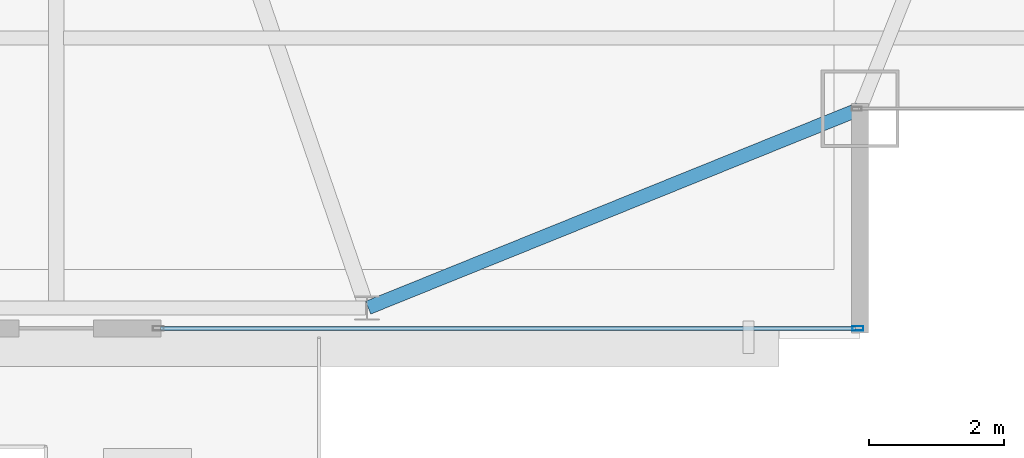
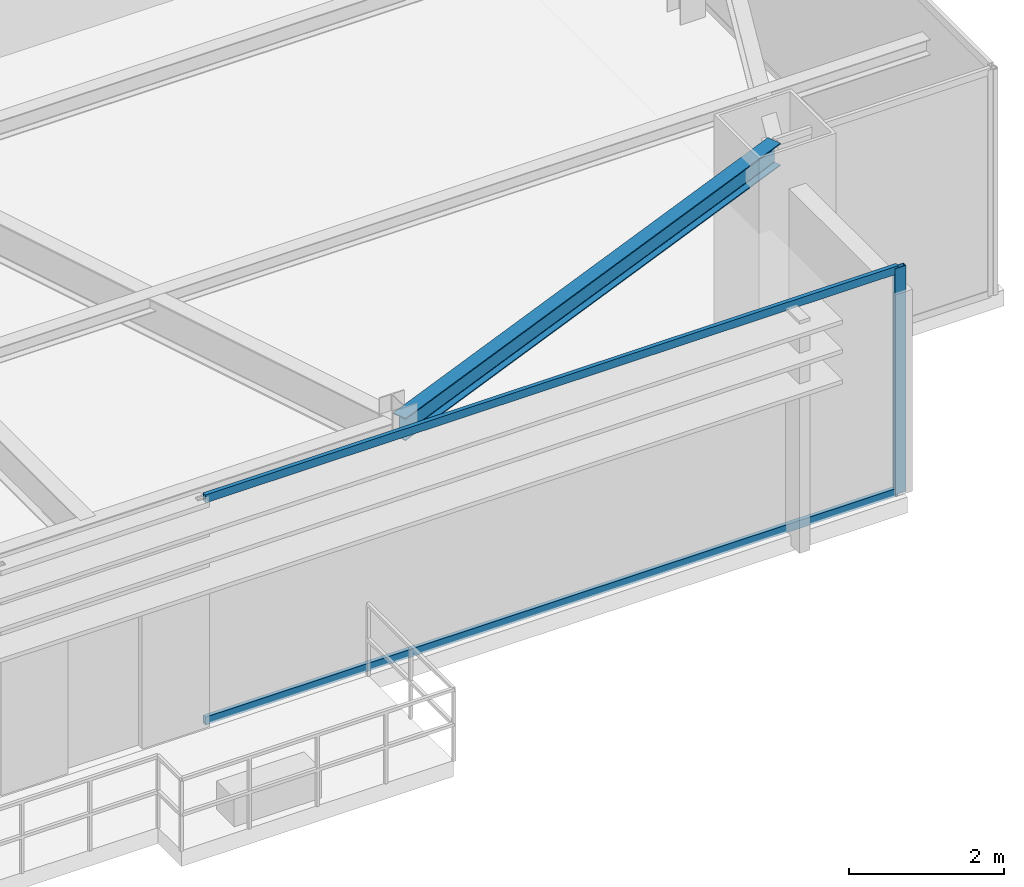
# One storey, part 13 of 30: 3 members, 1 beam, 1 element without a shape of its own.
"""IFC4 building model written with IfcOpenShell, lengths in metres."""

from ifc_helpers import new_model, si_unit, direction, frame, origin, origin_2d, place, context, subcontext, project, spatial, hollow_rectangle, i_section, extrude, source, transform, mapped, material, layer, layer_set, material_profile, profile_set, type_object, type_shapes, element, aggregate, save


model = new_model("IFC4")

# Units and contexts
model_context = context("Model", 3, precision=1e-05, world=origin(), true_north=direction((0.0, 1.0)))
body_context = subcontext(model_context, "Body", "Model", "MODEL_VIEW")
ifc_project = project(units=[si_unit("LENGTHUNIT", "METRE"), si_unit("AREAUNIT", "SQUARE_METRE"), si_unit("VOLUMEUNIT", "CUBIC_METRE"), si_unit("PLANEANGLEUNIT", "RADIAN"), si_unit("MASSUNIT", "GRAM", prefix="KILO")], contexts=[model_context])

# Site, building, storey
site_placement = place(None, origin())
site = spatial("IfcSite", under=ifc_project, at=site_placement, CompositionType="ELEMENT")
building_placement = place(site_placement, origin())
building = spatial("IfcBuilding", under=site, at=building_placement, Name="Varnel Quay Broadcast Tower", CompositionType="ELEMENT")
storey_placement = place(building_placement, frame((0.0, 0.0, 222.60009765625)))
storey = spatial("IfcBuildingStorey", under=building, at=storey_placement, Name="L55", CompositionType="ELEMENT", Elevation=222.60009765625)

# Beam
ifc_material_1 = material(Name="Structural Steel CSA G40.21 350W", Category="steel")
ifc_material_profile_1 = material_profile(ifc_material_1, i_section(OverallWidth=0.205078125, OverallDepth=0.35400390625, WebThickness=0.009521484375, FlangeThickness=0.016845703125, FilletRadius=0.012939453125, at=origin_2d()), Name="W360X79")
ifc_profile_set_1 = profile_set([ifc_material_profile_1], Name="Structural Steel CSA G40.21 350W")
beam_type = type_object("IfcBeamType", Name="Beam_W360X79", PredefinedType="SPANDREL", material=ifc_profile_set_1)
shared_shape_1 = source(origin(), body_context, "Body", "SweptSolid", [
    extrude(i_section(OverallWidth=0.205078125, OverallDepth=0.35400390625, WebThickness=0.009521484375, FlangeThickness=0.016845703125, FilletRadius=0.012939453125, at=origin_2d()), origin(), (0.0, 0.0, 1.0), 7.83349609375),
])
type_shapes(beam_type, [shared_shape_1])
beam_placement = place(storey_placement, frame((47.818603515625, 10.657470703125, 3.372802734375), z_axis=(0.927155449606, 0.374676890489, 0.0), x_axis=(-0.374676890489, 0.927155449606, 0.0)))
element("IfcBeam", 1, at=beam_placement, inside=storey, type_object=beam_type, Name="L55 South Spandrel TC-S4-MC-SE", PredefinedType="SPANDREL", context=body_context, shape_type="MappedRepresentation", body=[
    mapped(shared_shape_1, transform((0.0, 0.0, 0.0), x_axis=(1.0, 0.0, 0.0), y_axis=(0.0, 1.0, 0.0), z_axis=(0.0, 0.0, 1.0), scale=1.0)),
])

# Curtain wall, members
ifc_material_2 = material(Name="Anodised Bronze Aluminium 6063-T6", Category="aluminium")
ifc_layer = layer(ifc_material_2, 0.18994140625, Name="Anodised Bronze Aluminium 6063-T6")
ifc_layer_set = layer_set([ifc_layer], Name="Anodised Bronze Aluminium 6063-T6")
curtain_wall_type = type_object("IfcCurtainWallType", Name="CW_UpperTower", PredefinedType="NOTDEFINED", material=ifc_layer_set)
curtain_wall_placement = place(storey_placement, origin())
curtain_wall = element("IfcCurtainWall", 2, at=curtain_wall_placement, inside=storey, type_object=curtain_wall_type, Name="L55 South Unitised Curtain Wall 3", PredefinedType="NOTDEFINED")
ifc_material_profile_2 = material_profile(ifc_material_2, hollow_rectangle(XDim=0.06494140625, YDim=0.1650390625, WallThickness=0.00341796875, at=origin_2d()), Name="ALU65X165X3.5")
ifc_profile_set_2 = profile_set([ifc_material_profile_2], Name="Anodised Bronze Aluminium 6063-T6")
member_type_1 = type_object("IfcMemberType", Name="Mull_CWS-03", PredefinedType="MULLION", material=ifc_profile_set_2)
shared_shape_2 = source(origin(), body_context, "Body", "SweptSolid", [
    extrude(hollow_rectangle(XDim=0.06494140625, YDim=0.1650390625, WallThickness=0.00341796875, at=origin_2d()), origin(), (0.0, 0.0, 1.0), 3.5498046875),
])
type_shapes(member_type_1, [shared_shape_2])
member_1_placement = place(storey_placement, frame((55.0673828125, 10.35009765625, 0.0), z_axis=(0.0, 0.0, 1.0), x_axis=(0.0, 1.0, 0.0)))
member_1 = element("IfcMember", 3, at=member_1_placement, type_object=member_type_1, Name="CWS-03 mullion 2", PredefinedType="MULLION", context=body_context, shape_type="MappedRepresentation", body=[
    mapped(shared_shape_2, transform((0.0, 0.0, 0.0), x_axis=(1.0, 0.0, 0.0), y_axis=(0.0, 1.0, 0.0), z_axis=(0.0, 0.0, 1.0), scale=1.0)),
])
ifc_material_profile_3 = material_profile(ifc_material_2, hollow_rectangle(XDim=0.06005859375, YDim=0.125, WallThickness=0.0029296875, at=origin_2d()), Name="ALU60X125X3")
ifc_profile_set_3 = profile_set([ifc_material_profile_3], Name="Anodised Bronze Aluminium 6063-T6")
member_type_2 = type_object("IfcMemberType", Name="Tran_CWS-03", PredefinedType="USERDEFINED", material=ifc_profile_set_3)
shared_shape_3 = source(origin(), body_context, "Body", "SweptSolid", [
    extrude(hollow_rectangle(XDim=0.06005859375, YDim=0.125, WallThickness=0.0029296875, at=origin_2d()), origin(), (0.0, 0.0, 1.0), 10.289794921875),
])
type_shapes(member_type_2, [shared_shape_3])
member_2_placement = place(storey_placement, frame((44.7451171875, 10.35009765625, 0.02978515625), z_axis=(1.0, 0.0, 0.0), x_axis=(0.0, 1.0, 0.0)))
member_2 = element("IfcMember", 4, at=member_2_placement, type_object=member_type_2, Name="CWS-03 transom 1.1", ObjectType="TRANSOM", PredefinedType="USERDEFINED", context=body_context, shape_type="MappedRepresentation", body=[
    mapped(shared_shape_3, transform((0.0, 0.0, 0.0), x_axis=(1.0, 0.0, 0.0), y_axis=(0.0, 1.0, 0.0), z_axis=(0.0, 0.0, 1.0), scale=1.0)),
])
member_3_placement = place(storey_placement, frame((44.7451171875, 10.35009765625, 3.52001953125), z_axis=(1.0, 0.0, 0.0), x_axis=(0.0, 1.0, 0.0)))
member_3 = element("IfcMember", 5, at=member_3_placement, type_object=member_type_2, Name="CWS-03 transom 1.2", ObjectType="TRANSOM", PredefinedType="USERDEFINED", context=body_context, shape_type="MappedRepresentation", body=[
    mapped(shared_shape_3, transform((0.0, 0.0, 0.0), x_axis=(1.0, 0.0, 0.0), y_axis=(0.0, 1.0, 0.0), z_axis=(0.0, 0.0, 1.0), scale=1.0)),
])
aggregate(curtain_wall, [member_1, member_2, member_3])

save(model, "model.ifc")
